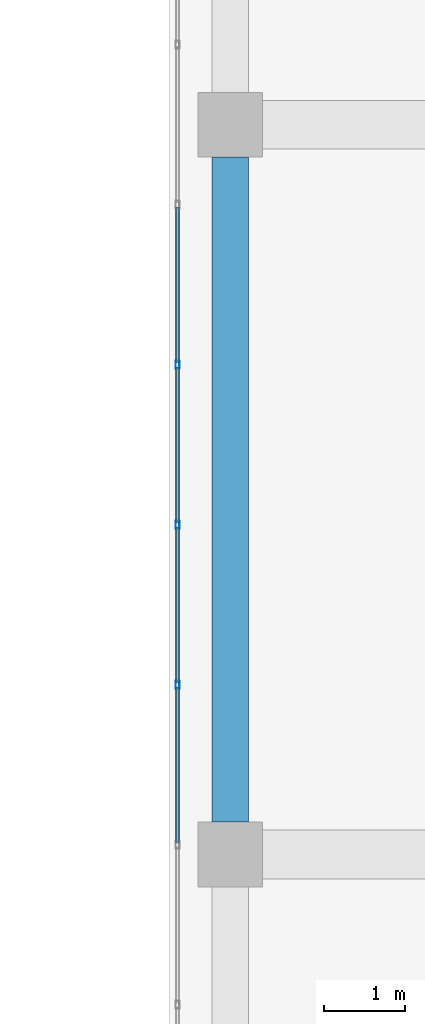
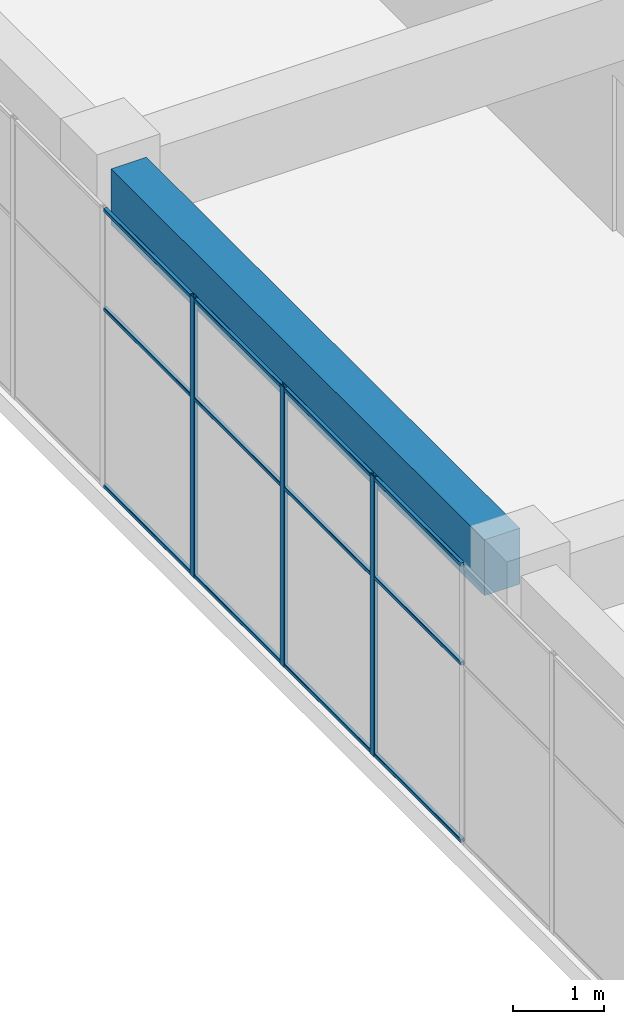
# One storey, part 21 of 55: 15 members, 1 beam, 1 element without a shape of its own.
"""IFC4 building model written with IfcOpenShell, lengths in metres."""

from ifc_helpers import new_model, si_unit, direction, frame, origin, origin_2d, place, context, subcontext, project, spatial, rectangle, hollow_rectangle, extrude, material, layer, layer_set, material_profile, profile_set, type_object, element, aggregate, save


model = new_model("IFC4")

# Units and contexts
model_context = context("Model", 3, precision=1e-05, world=origin(), true_north=direction((0.0, 1.0)))
body_context = subcontext(model_context, "Body", "Model", "MODEL_VIEW")
ifc_project = project(units=[si_unit("LENGTHUNIT", "METRE"), si_unit("AREAUNIT", "SQUARE_METRE"), si_unit("VOLUMEUNIT", "CUBIC_METRE"), si_unit("PLANEANGLEUNIT", "RADIAN"), si_unit("MASSUNIT", "GRAM", prefix="KILO")], contexts=[model_context])

# Site, building, storey
site_placement = place(None, origin())
site = spatial("IfcSite", under=ifc_project, at=site_placement, CompositionType="ELEMENT")
building_placement = place(site_placement, origin())
building = spatial("IfcBuilding", under=site, at=building_placement, Name="Tuart Plaza Theatre", CompositionType="ELEMENT")
storey_placement = place(building_placement, frame((0.0, 0.0, 21.5)))
storey = spatial("IfcBuildingStorey", under=building, at=storey_placement, Name="L05", CompositionType="ELEMENT", Elevation=21.5)

# Beam
ifc_material_1 = material(Name="Concrete N40 (40 MPa)", Category="concrete")
ifc_material_profile_1 = material_profile(ifc_material_1, rectangle(XDim=0.449951171875, YDim=0.75, at=origin_2d()), Name="BEAM 450x750 Concrete N40 (40 MPa)")
ifc_profile_set_1 = profile_set([ifc_material_profile_1], Name="Concrete N40 (40 MPa)")
beam_type = type_object("IfcBeamType", Name="BEAM 450x750 Concrete N40 (40 MPa)", PredefinedType="BEAM", material=ifc_profile_set_1)
beam_placement = place(storey_placement, frame((114.0, 65.39990234375, 3.375), z_axis=(0.0, 1.0, 0.0), x_axis=(-1.0, 0.0, 0.0)))
element("IfcBeam", 1, at=beam_placement, inside=storey, type_object=beam_type, Name="RB209", PredefinedType="BEAM", context=body_context, shape_type="SweptSolid", body=[
    extrude(rectangle(XDim=0.449951171875, YDim=0.75, at=origin_2d()), origin(), (0.0, 0.0, 1.0), 8.2001953125),
])

# Curtain wall, members
ifc_material_2 = material(Name="Aluminium and glass", Category="aluminium")
ifc_layer = layer(ifc_material_2, 0.10009765625)
ifc_layer_set = layer_set([ifc_layer], Name="CURTAIN WALL 2000 module")
curtain_wall_type = type_object("IfcCurtainWallType", Name="CURTAIN WALL 2000 module", PredefinedType="NOTDEFINED", material=ifc_layer_set)
curtain_wall_placement = place(storey_placement, origin())
curtain_wall = element("IfcCurtainWall", 2, at=curtain_wall_placement, inside=storey, type_object=curtain_wall_type, Name="CW86", PredefinedType="NOTDEFINED")
ifc_material_3 = material(Name="Aluminium 6063-T5", Category="aluminium")
ifc_material_profile_2 = material_profile(ifc_material_3, hollow_rectangle(XDim=0.050048828125, YDim=0.10009765625, WallThickness=0.00390625, InnerFilletRadius=0.00390625, OuterFilletRadius=0.008056640625, at=origin_2d()), Name="RHS 100x50x4")
ifc_profile_set_2 = profile_set([ifc_material_profile_2], Name="Aluminium 6063-T5")
member_type_1 = type_object("IfcMemberType", Name="MULLION RHS 100x50x4", PredefinedType="MULLION", material=ifc_profile_set_2)
member_1_placement = place(storey_placement, frame((113.35009765625, 71.03955078125, 0.0), z_axis=(0.0, 0.0, 1.0), x_axis=(1.0, 0.0, 0.0)))
member_1 = element("IfcMember", 3, at=member_1_placement, type_object=member_type_1, Name="CW86 mullion 12", PredefinedType="MULLION", context=body_context, shape_type="SweptSolid", body=[
    extrude(hollow_rectangle(XDim=0.050048828125, YDim=0.10009765625, WallThickness=0.00390625, InnerFilletRadius=0.00390625, OuterFilletRadius=0.008056640625, at=origin_2d()), origin(), (0.0, 0.0, 1.0), 3.75),
])
member_2_placement = place(storey_placement, frame((113.35009765625, 69.065673828125, 0.0), z_axis=(0.0, 0.0, 1.0), x_axis=(1.0, 0.0, 0.0)))
member_2 = element("IfcMember", 4, at=member_2_placement, type_object=member_type_1, Name="CW86 mullion 13", PredefinedType="MULLION", context=body_context, shape_type="SweptSolid", body=[
    extrude(hollow_rectangle(XDim=0.050048828125, YDim=0.10009765625, WallThickness=0.00390625, InnerFilletRadius=0.00390625, OuterFilletRadius=0.008056640625, at=origin_2d()), origin(), (0.0, 0.0, 1.0), 3.75),
])
member_3_placement = place(storey_placement, frame((113.35009765625, 67.092041015625, 0.0), z_axis=(0.0, 0.0, 1.0), x_axis=(1.0, 0.0, 0.0)))
member_3 = element("IfcMember", 5, at=member_3_placement, type_object=member_type_1, Name="CW86 mullion 14", PredefinedType="MULLION", context=body_context, shape_type="SweptSolid", body=[
    extrude(hollow_rectangle(XDim=0.050048828125, YDim=0.10009765625, WallThickness=0.00390625, InnerFilletRadius=0.00390625, OuterFilletRadius=0.008056640625, at=origin_2d()), origin(), (0.0, 0.0, 1.0), 3.75),
])
ifc_material_4 = material(Name="Aluminium 6063-T5", Category="aluminium")
ifc_material_profile_3 = material_profile(ifc_material_4, hollow_rectangle(XDim=0.050048828125, YDim=0.050048828125, WallThickness=0.00390625, InnerFilletRadius=0.00390625, OuterFilletRadius=0.008056640625, at=origin_2d()), Name="RHS 50x50x4")
ifc_profile_set_3 = profile_set([ifc_material_profile_3], Name="Aluminium 6063-T5")
member_type_2 = type_object("IfcMemberType", Name="TRANSOM RHS 50x50x4", PredefinedType="USERDEFINED", material=ifc_profile_set_3)
member_4_placement = place(storey_placement, frame((113.35009765625, 72.988037109375, 0.02490234375), z_axis=(0.0, -1.0, 0.0), x_axis=(1.0, 0.0, 0.0)))
member_4 = element("IfcMember", 6, at=member_4_placement, type_object=member_type_2, Name="CW86 transom 11.1", ObjectType="TRANSOM", PredefinedType="USERDEFINED", context=body_context, shape_type="SweptSolid", body=[
    extrude(hollow_rectangle(XDim=0.050048828125, YDim=0.050048828125, WallThickness=0.00390625, InnerFilletRadius=0.00390625, OuterFilletRadius=0.008056640625, at=origin_2d()), origin(), (0.0, 0.0, 1.0), 1.923583984375),
])
member_5_placement = place(storey_placement, frame((113.35009765625, 72.988037109375, 2.39990234375), z_axis=(0.0, -1.0, 0.0), x_axis=(1.0, 0.0, 0.0)))
member_5 = element("IfcMember", 7, at=member_5_placement, type_object=member_type_2, Name="CW86 transom 11.2", ObjectType="TRANSOM", PredefinedType="USERDEFINED", context=body_context, shape_type="SweptSolid", body=[
    extrude(hollow_rectangle(XDim=0.050048828125, YDim=0.050048828125, WallThickness=0.00390625, InnerFilletRadius=0.00390625, OuterFilletRadius=0.008056640625, at=origin_2d()), origin(), (0.0, 0.0, 1.0), 1.923583984375),
])
member_6_placement = place(storey_placement, frame((113.35009765625, 72.988037109375, 3.72509765625), z_axis=(0.0, -1.0, 0.0), x_axis=(1.0, 0.0, 0.0)))
member_6 = element("IfcMember", 8, at=member_6_placement, type_object=member_type_2, Name="CW86 transom 11.3", ObjectType="TRANSOM", PredefinedType="USERDEFINED", context=body_context, shape_type="SweptSolid", body=[
    extrude(hollow_rectangle(XDim=0.050048828125, YDim=0.050048828125, WallThickness=0.00390625, InnerFilletRadius=0.00390625, OuterFilletRadius=0.008056640625, at=origin_2d()), origin(), (0.0, 0.0, 1.0), 1.923583984375),
])
member_7_placement = place(storey_placement, frame((113.35009765625, 71.014404296875, 0.02490234375), z_axis=(0.0, -1.0, 0.0), x_axis=(1.0, 0.0, 0.0)))
member_7 = element("IfcMember", 9, at=member_7_placement, type_object=member_type_2, Name="CW86 transom 12.1", ObjectType="TRANSOM", PredefinedType="USERDEFINED", context=body_context, shape_type="SweptSolid", body=[
    extrude(hollow_rectangle(XDim=0.050048828125, YDim=0.050048828125, WallThickness=0.00390625, InnerFilletRadius=0.00390625, OuterFilletRadius=0.008056640625, at=origin_2d()), origin(), (0.0, 0.0, 1.0), 1.923583984375),
])
member_8_placement = place(storey_placement, frame((113.35009765625, 71.014404296875, 2.39990234375), z_axis=(0.0, -1.0, 0.0), x_axis=(1.0, 0.0, 0.0)))
member_8 = element("IfcMember", 10, at=member_8_placement, type_object=member_type_2, Name="CW86 transom 12.2", ObjectType="TRANSOM", PredefinedType="USERDEFINED", context=body_context, shape_type="SweptSolid", body=[
    extrude(hollow_rectangle(XDim=0.050048828125, YDim=0.050048828125, WallThickness=0.00390625, InnerFilletRadius=0.00390625, OuterFilletRadius=0.008056640625, at=origin_2d()), origin(), (0.0, 0.0, 1.0), 1.923583984375),
])
member_9_placement = place(storey_placement, frame((113.35009765625, 71.014404296875, 3.72509765625), z_axis=(0.0, -1.0, 0.0), x_axis=(1.0, 0.0, 0.0)))
member_9 = element("IfcMember", 11, at=member_9_placement, type_object=member_type_2, Name="CW86 transom 12.3", ObjectType="TRANSOM", PredefinedType="USERDEFINED", context=body_context, shape_type="SweptSolid", body=[
    extrude(hollow_rectangle(XDim=0.050048828125, YDim=0.050048828125, WallThickness=0.00390625, InnerFilletRadius=0.00390625, OuterFilletRadius=0.008056640625, at=origin_2d()), origin(), (0.0, 0.0, 1.0), 1.923583984375),
])
member_10_placement = place(storey_placement, frame((113.35009765625, 69.040771484375, 0.02490234375), z_axis=(0.0, -1.0, 0.0), x_axis=(1.0, 0.0, 0.0)))
member_10 = element("IfcMember", 12, at=member_10_placement, type_object=member_type_2, Name="CW86 transom 13.1", ObjectType="TRANSOM", PredefinedType="USERDEFINED", context=body_context, shape_type="SweptSolid", body=[
    extrude(hollow_rectangle(XDim=0.050048828125, YDim=0.050048828125, WallThickness=0.00390625, InnerFilletRadius=0.00390625, OuterFilletRadius=0.008056640625, at=origin_2d()), origin(), (0.0, 0.0, 1.0), 1.923583984375),
])
member_11_placement = place(storey_placement, frame((113.35009765625, 69.040771484375, 2.39990234375), z_axis=(0.0, -1.0, 0.0), x_axis=(1.0, 0.0, 0.0)))
member_11 = element("IfcMember", 13, at=member_11_placement, type_object=member_type_2, Name="CW86 transom 13.2", ObjectType="TRANSOM", PredefinedType="USERDEFINED", context=body_context, shape_type="SweptSolid", body=[
    extrude(hollow_rectangle(XDim=0.050048828125, YDim=0.050048828125, WallThickness=0.00390625, InnerFilletRadius=0.00390625, OuterFilletRadius=0.008056640625, at=origin_2d()), origin(), (0.0, 0.0, 1.0), 1.923583984375),
])
member_12_placement = place(storey_placement, frame((113.35009765625, 69.040771484375, 3.72509765625), z_axis=(0.0, -1.0, 0.0), x_axis=(1.0, 0.0, 0.0)))
member_12 = element("IfcMember", 14, at=member_12_placement, type_object=member_type_2, Name="CW86 transom 13.3", ObjectType="TRANSOM", PredefinedType="USERDEFINED", context=body_context, shape_type="SweptSolid", body=[
    extrude(hollow_rectangle(XDim=0.050048828125, YDim=0.050048828125, WallThickness=0.00390625, InnerFilletRadius=0.00390625, OuterFilletRadius=0.008056640625, at=origin_2d()), origin(), (0.0, 0.0, 1.0), 1.923583984375),
])
member_13_placement = place(storey_placement, frame((113.35009765625, 67.067138671875, 0.02490234375), z_axis=(0.0, -1.0, 0.0), x_axis=(1.0, 0.0, 0.0)))
member_13 = element("IfcMember", 15, at=member_13_placement, type_object=member_type_2, Name="CW86 transom 14.1", ObjectType="TRANSOM", PredefinedType="USERDEFINED", context=body_context, shape_type="SweptSolid", body=[
    extrude(hollow_rectangle(XDim=0.050048828125, YDim=0.050048828125, WallThickness=0.00390625, InnerFilletRadius=0.00390625, OuterFilletRadius=0.008056640625, at=origin_2d()), origin(), (0.0, 0.0, 1.0), 1.923828125),
])
member_14_placement = place(storey_placement, frame((113.35009765625, 67.067138671875, 2.39990234375), z_axis=(0.0, -1.0, 0.0), x_axis=(1.0, 0.0, 0.0)))
member_14 = element("IfcMember", 16, at=member_14_placement, type_object=member_type_2, Name="CW86 transom 14.2", ObjectType="TRANSOM", PredefinedType="USERDEFINED", context=body_context, shape_type="SweptSolid", body=[
    extrude(hollow_rectangle(XDim=0.050048828125, YDim=0.050048828125, WallThickness=0.00390625, InnerFilletRadius=0.00390625, OuterFilletRadius=0.008056640625, at=origin_2d()), origin(), (0.0, 0.0, 1.0), 1.923828125),
])
member_15_placement = place(storey_placement, frame((113.35009765625, 67.067138671875, 3.72509765625), z_axis=(0.0, -1.0, 0.0), x_axis=(1.0, 0.0, 0.0)))
member_15 = element("IfcMember", 17, at=member_15_placement, type_object=member_type_2, Name="CW86 transom 14.3", ObjectType="TRANSOM", PredefinedType="USERDEFINED", context=body_context, shape_type="SweptSolid", body=[
    extrude(hollow_rectangle(XDim=0.050048828125, YDim=0.050048828125, WallThickness=0.00390625, InnerFilletRadius=0.00390625, OuterFilletRadius=0.008056640625, at=origin_2d()), origin(), (0.0, 0.0, 1.0), 1.923828125),
])
aggregate(curtain_wall, [member_1, member_2, member_3, member_4, member_5, member_6, member_7, member_8, member_9, member_10, member_11, member_12, member_13, member_14, member_15])

save(model, "model.ifc")
